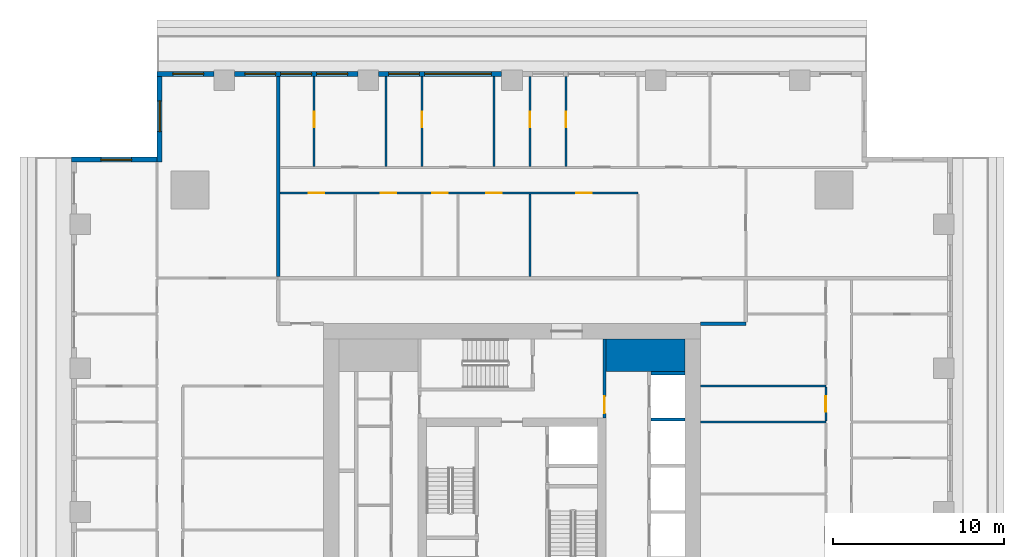
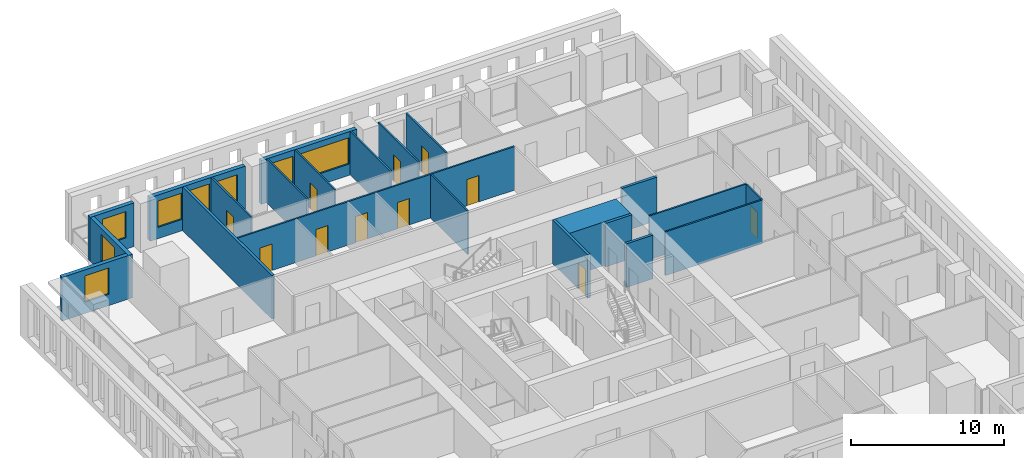
# One storey, part 7 of 14: 22 walls, 11 doors, 8 windows, 19 openings.
"""IFC4 building model written with IfcOpenShell, lengths in metres."""

from ifc_helpers import new_model, si_unit, direction, frame, frame_2d, origin, place, context, subcontext, project, spatial, rectangle, extrude, material, layer, layer_set, type_object, element, fill, save


model = new_model("IFC4")

# Units and contexts
model_context = context("Model", 3, precision=1e-05, world=origin(), true_north=direction((0.0, 1.0)))
body_context = subcontext(model_context, "Body", "Model", "MODEL_VIEW")
ifc_project = project(units=[si_unit("LENGTHUNIT", "METRE"), si_unit("AREAUNIT", "SQUARE_METRE"), si_unit("VOLUMEUNIT", "CUBIC_METRE"), si_unit("PLANEANGLEUNIT", "RADIAN"), si_unit("MASSUNIT", "GRAM", prefix="KILO")], contexts=[model_context])

# Site, building, storey
site_placement = place(None, origin())
site = spatial("IfcSite", under=ifc_project, at=site_placement, CompositionType="ELEMENT")
building_placement = place(site_placement, origin())
building = spatial("IfcBuilding", under=site, at=building_placement, Name="Khepri Terraces", CompositionType="ELEMENT")
storey_placement = place(building_placement, frame((0.0, 0.0, 275.699951171875)))
storey = spatial("IfcBuildingStorey", under=building, at=storey_placement, Name="L66", CompositionType="ELEMENT", Elevation=275.699951171875)

# Walls
ifc_material_1 = material(Name="Concrete C40/50", Category="concrete")
ifc_layer_1 = layer(ifc_material_1, 1.89990234375, Name="Concrete C40/50", Category="concrete")
ifc_layer_set_1 = layer_set([ifc_layer_1], Name="Concrete C40/50")
wall_type_1 = type_object("IfcWallType", Name="Core wall 1900 C40/50", PredefinedType="SHEAR", material=ifc_layer_set_1)
wall_1_placement = place(storey_placement, frame((5.5, 9.14990234375, 0.0), z_axis=(0.0, 0.0, 1.0), x_axis=(1.0, 0.0, 0.0)))
element("IfcWall", 1, at=wall_1_placement, inside=storey, type_object=wall_type_1, Name="Core wall PR04 L66", PredefinedType="SHEAR", context=body_context, shape_type="SweptSolid", body=[
    extrude(rectangle(XDim=4.60009765625, YDim=1.89990234375, at=frame_2d((2.300048828125, 0.0))), origin(), (0.0, 0.0, 1.0), 3.47998046875),
])
ifc_layer_2 = layer(ifc_material_1, 0.199951171875, Name="Concrete C40/50", Category="concrete")
ifc_layer_set_2 = layer_set([ifc_layer_2], Name="Concrete C40/50")
wall_type_2 = type_object("IfcWallType", Name="Core wall 200 C40/50", PredefinedType="SHEAR", material=ifc_layer_set_2)
for number, where, z_axis, x_axis, name in (
    (2, (8.10009765625, 5.39990234375, 0.0), (0.0, 0.0, 1.0), (1.0, 0.0, 0.0), "Core wall SH14 L66"),
    (3, (8.10009765625, 8.10009765625, 0.0), (0.0, 0.0, 1.0), (1.0, 0.0, 0.0), "Core wall SH15 L66"),
):
    element("IfcWall", number, at=place(storey_placement, frame(where, z_axis=z_axis, x_axis=x_axis)), inside=storey, type_object=wall_type_2, Name=name, PredefinedType="SHEAR", context=body_context, shape_type="SweptSolid", body=[
        extrude(rectangle(XDim=2.0, YDim=0.199951171875, at=frame_2d((1.0, 0.0))), origin(), (0.0, 0.0, 1.0), 3.47998046875),
    ])

# Wall, opening, door
ifc_material_2 = material(Name="Fire-rated gypsum board partition")
ifc_layer_3 = layer(ifc_material_2, 0.199951171875, Name="Fire-rated gypsum board partition")
ifc_layer_set_3 = layer_set([ifc_layer_3], Name="Fire-rated gypsum board partition")
wall_type_3 = type_object("IfcWallType", Name="WL-CORE-PART-200", PredefinedType="PARTITIONING", material=ifc_layer_set_3)
wall_2_placement = place(storey_placement, frame((5.39990234375, 5.5, 0.0), z_axis=(0.0, 0.0, 1.0), x_axis=(0.0, 1.0, 0.0)))
wall_2 = element("IfcWall", 4, at=wall_2_placement, inside=storey, type_object=wall_type_3, Name="Core partition PT13 L66", PredefinedType="PARTITIONING", context=body_context, shape_type="SweptSolid", body=[
    extrude(rectangle(XDim=4.60009765625, YDim=0.199951171875, at=frame_2d((2.300048828125, 0.0))), origin(), (0.0, 0.0, 1.0), 3.47998046875),
])
opening_1_placement = place(wall_2_placement, frame((0.25, 0.0, 0.0)))
opening_1 = element("IfcOpeningElement", 5, at=opening_1_placement, cuts=wall_2, Name="Opening L66-C17", PredefinedType="OPENING", context=body_context, shape_type="SweptSolid", body=[
    extrude(rectangle(XDim=1.0, YDim=2.10009765625, at=frame_2d((0.5, 1.050048828125))), frame((0.0, 0.10986328125, 0.0), z_axis=(0.0, -1.0, 0.0), x_axis=(1.0, 0.0, 0.0)), (0.0, 0.0, 1.0), 0.219970703125),
])
ifc_material_3 = material(Name="Painted steel", Category="steel")
door_type_1 = type_object("IfcDoorType", Name="DR-CORE-LOBBY-1000", OperationType="NOTDEFINED", PredefinedType="DOOR", material=ifc_material_3)
door_1_placement = place(opening_1_placement, origin())
door_1 = element("IfcDoor", 6, at=door_1_placement, inside=storey, type_object=door_type_1, Name="Lobby door L66-C17", OperationType="SINGLE_SWING_LEFT", OverallHeight=2.10009765625, OverallWidth=1.0, PredefinedType="DOOR", context=body_context, shape_type="SweptSolid", body=[
    extrude(rectangle(XDim=1.0, YDim=2.10009765625, at=frame_2d((0.5, 1.050048828125))), frame((0.0, 0.02490234375, 0.0), z_axis=(0.0, -1.0, 0.0), x_axis=(1.0, 0.0, 0.0)), (0.0, 0.0, 1.0), 0.050048828125),
])
fill(opening_1, door_1)

# Walls
ifc_material_4 = material(Name="Fire-rated gypsum plasterboard partition, mineral wool")
ifc_layer_4 = layer(ifc_material_4, 0.199951171875, Name="Fire-rated gypsum plasterboard partition, mineral wool")
ifc_layer_set_4 = layer_set([ifc_layer_4], Name="Fire-rated gypsum plasterboard partition, mineral wool")
wall_type_4 = type_object("IfcWallType", Name="WL-CORR-200", PredefinedType="PARTITIONING", material=ifc_layer_set_4)
wall_3_placement = place(storey_placement, frame((11.0, 11.0, 0.0), z_axis=(0.0, 0.0, 1.0), x_axis=(1.0, 0.0, 0.0)))
element("IfcWall", 7, at=wall_3_placement, inside=storey, type_object=wall_type_4, Name="Partition P-070 L66", PredefinedType="PARTITIONING", context=body_context, shape_type="SweptSolid", body=[
    extrude(rectangle(XDim=2.64990234375, YDim=0.199951171875, at=frame_2d((1.324951171875, 0.0))), origin(), (0.0, 0.0, 1.0), 3.47998046875),
])
wall_4_placement = place(storey_placement, frame((-13.64990234375, 13.75, 0.0), z_axis=(0.0, 0.0, 1.0), x_axis=(0.0, 1.0, 0.0)))
element("IfcWall", 8, at=wall_4_placement, inside=storey, type_object=wall_type_4, Name="Partition P-082 L66", PredefinedType="PARTITIONING", context=body_context, shape_type="SweptSolid", body=[
    extrude(rectangle(XDim=11.669921875, YDim=0.199951171875, at=frame_2d((5.8349609375, 0.0))), origin(), (0.0, 0.0, 1.0), 3.47998046875),
])

# Wall, openings, windows
ifc_material_5 = material(Name="Precast concrete C50/60 warm stone", Category="masonry")
ifc_layer_5 = layer(ifc_material_5, 0.300048828125, Name="Precast concrete C50/60 warm stone", Category="masonry")
ifc_layer_set_5 = layer_set([ifc_layer_5], Name="Precast concrete C50/60 warm stone")
wall_type_5 = type_object("IfcWallType", Name="WL-EXT-PRECAST-300", PredefinedType="STANDARD", material=ifc_layer_set_5)
wall_5_placement = place(storey_placement, frame((-0.60009765625, 25.570068359375, 0.0), z_axis=(0.0, 0.0, 1.0), x_axis=(-1.0, 0.0, 0.0)))
wall_5 = element("IfcWall", 9, at=wall_5_placement, inside=storey, type_object=wall_type_5, Name="External wall L66 N", PredefinedType="STANDARD", context=body_context, shape_type="SweptSolid", body=[
    extrude(rectangle(XDim=7.199951171875, YDim=0.300048828125, at=frame_2d((3.60009765625, 0.0))), origin(), (0.0, 0.0, 1.0), 3.47998046875),
])
opening_2_placement = place(wall_5_placement, frame((0.60009765625, 0.0, 0.89990234375)))
opening_2 = element("IfcOpeningElement", 10, at=opening_2_placement, cuts=wall_5, Name="Opening W2", PredefinedType="OPENING", context=body_context, shape_type="SweptSolid", body=[
    extrude(rectangle(XDim=3.89990234375, YDim=2.10009765625, at=frame_2d((1.949951171875, 1.050048828125))), frame((0.0, 0.16015625, 0.0), z_axis=(0.0, -1.0, 0.0), x_axis=(1.0, 0.0, 0.0)), (0.0, 0.0, 1.0), 0.320068359375),
])
opening_3_placement = place(wall_5_placement, frame((4.800048828125, 0.0, 0.89990234375)))
opening_3 = element("IfcOpeningElement", 11, at=opening_3_placement, cuts=wall_5, Name="Opening W1", PredefinedType="OPENING", context=body_context, shape_type="SweptSolid", body=[
    extrude(rectangle(XDim=1.800048828125, YDim=2.10009765625, at=frame_2d((0.89990234375, 1.050048828125))), frame((0.0, 0.16015625, 0.0), z_axis=(0.0, -1.0, 0.0), x_axis=(1.0, 0.0, 0.0)), (0.0, 0.0, 1.0), 0.320068359375),
])
ifc_material_6 = material(Name="Clear glass", Category="glass")
window_type_1 = type_object("IfcWindowType", Name="WIN-RES-1800x2100", PartitioningType="SINGLE_PANEL", PredefinedType="WINDOW", material=ifc_material_6)
window_1_placement = place(opening_3_placement, origin())
window_1 = element("IfcWindow", 12, at=window_1_placement, inside=storey, type_object=window_type_1, Name="Window L66 N", OverallHeight=2.10009765625, OverallWidth=1.800048828125, PartitioningType="SINGLE_PANEL", PredefinedType="WINDOW", context=body_context, shape_type="SweptSolid", body=[
    extrude(rectangle(XDim=1.800048828125, YDim=2.10009765625, at=frame_2d((0.89990234375, 1.050048828125))), frame((0.0, 0.030029296875, 0.0), z_axis=(0.0, -1.0, 0.0), x_axis=(1.0, 0.0, 0.0)), (0.0, 0.0, 1.0), 0.06005859375),
])
fill(opening_3, window_1)
window_type_2 = type_object("IfcWindowType", Name="WIN-RES-3900x2100", PartitioningType="SINGLE_PANEL", PredefinedType="WINDOW", material=ifc_material_6)
window_2_placement = place(opening_2_placement, origin())
window_2 = element("IfcWindow", 13, at=window_2_placement, inside=storey, type_object=window_type_2, Name="Window L66 N", OverallHeight=2.10009765625, OverallWidth=3.89990234375, PartitioningType="SINGLE_PANEL", PredefinedType="WINDOW", context=body_context, shape_type="SweptSolid", body=[
    extrude(rectangle(XDim=3.89990234375, YDim=2.10009765625, at=frame_2d((1.949951171875, 1.050048828125))), frame((0.0, 0.030029296875, 0.0), z_axis=(0.0, -1.0, 0.0), x_axis=(1.0, 0.0, 0.0)), (0.0, 0.0, 1.0), 0.06005859375),
])
fill(opening_2, window_2)

wall_6_placement = place(storey_placement, frame((-9.0, 25.570068359375, 0.0), z_axis=(0.0, 0.0, 1.0), x_axis=(-1.0, 0.0, 0.0)))
wall_6 = element("IfcWall", 14, at=wall_6_placement, inside=storey, type_object=wall_type_5, Name="External wall L66 N", PredefinedType="STANDARD", context=body_context, shape_type="SweptSolid", body=[
    extrude(rectangle(XDim=7.199951171875, YDim=0.300048828125, at=frame_2d((3.60009765625, 0.0))), origin(), (0.0, 0.0, 1.0), 3.47998046875),
])
opening_4_placement = place(wall_6_placement, frame((0.60009765625, 0.0, 0.89990234375)))
opening_4 = element("IfcOpeningElement", 15, at=opening_4_placement, cuts=wall_6, Name="Opening W1", PredefinedType="OPENING", context=body_context, shape_type="SweptSolid", body=[
    extrude(rectangle(XDim=1.800048828125, YDim=2.10009765625, at=frame_2d((0.89990234375, 1.050048828125))), frame((0.0, 0.16015625, 0.0), z_axis=(0.0, -1.0, 0.0), x_axis=(1.0, 0.0, 0.0)), (0.0, 0.0, 1.0), 0.320068359375),
])
opening_5_placement = place(wall_6_placement, frame((2.699951171875, 0.0, 0.89990234375)))
opening_5 = element("IfcOpeningElement", 16, at=opening_5_placement, cuts=wall_6, Name="Opening W1", PredefinedType="OPENING", context=body_context, shape_type="SweptSolid", body=[
    extrude(rectangle(XDim=1.800048828125, YDim=2.10009765625, at=frame_2d((0.89990234375, 1.050048828125))), frame((0.0, 0.16015625, 0.0), z_axis=(0.0, -1.0, 0.0), x_axis=(1.0, 0.0, 0.0)), (0.0, 0.0, 1.0), 0.320068359375),
])
opening_6_placement = place(wall_6_placement, frame((4.800048828125, 0.0, 0.89990234375)))
opening_6 = element("IfcOpeningElement", 17, at=opening_6_placement, cuts=wall_6, Name="Opening W1", PredefinedType="OPENING", context=body_context, shape_type="SweptSolid", body=[
    extrude(rectangle(XDim=1.800048828125, YDim=2.10009765625, at=frame_2d((0.89990234375, 1.050048828125))), frame((0.0, 0.16015625, 0.0), z_axis=(0.0, -1.0, 0.0), x_axis=(1.0, 0.0, 0.0)), (0.0, 0.0, 1.0), 0.320068359375),
])
window_3_placement = place(opening_4_placement, origin())
window_3 = element("IfcWindow", 18, at=window_3_placement, inside=storey, type_object=window_type_1, Name="Window L66 N", OverallHeight=2.10009765625, OverallWidth=1.800048828125, PartitioningType="SINGLE_PANEL", PredefinedType="WINDOW", context=body_context, shape_type="SweptSolid", body=[
    extrude(rectangle(XDim=1.800048828125, YDim=2.10009765625, at=frame_2d((0.89990234375, 1.050048828125))), frame((0.0, 0.030029296875, 0.0), z_axis=(0.0, -1.0, 0.0), x_axis=(1.0, 0.0, 0.0)), (0.0, 0.0, 1.0), 0.06005859375),
])
fill(opening_4, window_3)
window_4_placement = place(opening_5_placement, origin())
window_4 = element("IfcWindow", 19, at=window_4_placement, inside=storey, type_object=window_type_1, Name="Window L66 N", OverallHeight=2.10009765625, OverallWidth=1.800048828125, PartitioningType="SINGLE_PANEL", PredefinedType="WINDOW", context=body_context, shape_type="SweptSolid", body=[
    extrude(rectangle(XDim=1.800048828125, YDim=2.10009765625, at=frame_2d((0.89990234375, 1.050048828125))), frame((0.0, 0.030029296875, 0.0), z_axis=(0.0, -1.0, 0.0), x_axis=(1.0, 0.0, 0.0)), (0.0, 0.0, 1.0), 0.06005859375),
])
fill(opening_5, window_4)
window_5_placement = place(opening_6_placement, origin())
window_5 = element("IfcWindow", 20, at=window_5_placement, inside=storey, type_object=window_type_1, Name="Window L66 N", OverallHeight=2.10009765625, OverallWidth=1.800048828125, PartitioningType="SINGLE_PANEL", PredefinedType="WINDOW", context=body_context, shape_type="SweptSolid", body=[
    extrude(rectangle(XDim=1.800048828125, YDim=2.10009765625, at=frame_2d((0.89990234375, 1.050048828125))), frame((0.0, 0.030029296875, 0.0), z_axis=(0.0, -1.0, 0.0), x_axis=(1.0, 0.0, 0.0)), (0.0, 0.0, 1.0), 0.06005859375),
])
fill(opening_6, window_5)

# Wall, opening, window
wall_7_placement = place(storey_placement, frame((-17.39990234375, 25.570068359375, 0.0), z_axis=(0.0, 0.0, 1.0), x_axis=(-1.0, 0.0, 0.0)))
wall_7 = element("IfcWall", 21, at=wall_7_placement, inside=storey, type_object=wall_type_5, Name="External wall L66 N", PredefinedType="STANDARD", context=body_context, shape_type="SweptSolid", body=[
    extrude(rectangle(XDim=3.320068359375, YDim=0.300048828125, at=frame_2d((1.66015625, 0.0))), origin(), (0.0, 0.0, 1.0), 3.47998046875),
])
opening_7_placement = place(wall_7_placement, frame((0.60009765625, 0.0, 0.89990234375)))
opening_7 = element("IfcOpeningElement", 22, at=opening_7_placement, cuts=wall_7, Name="Opening W1", PredefinedType="OPENING", context=body_context, shape_type="SweptSolid", body=[
    extrude(rectangle(XDim=1.800048828125, YDim=2.10009765625, at=frame_2d((0.89990234375, 1.050048828125))), frame((0.0, 0.16015625, 0.0), z_axis=(0.0, -1.0, 0.0), x_axis=(1.0, 0.0, 0.0)), (0.0, 0.0, 1.0), 0.320068359375),
])
window_6_placement = place(opening_7_placement, origin())
window_6 = element("IfcWindow", 23, at=window_6_placement, inside=storey, type_object=window_type_1, Name="Window L66 N", OverallHeight=2.10009765625, OverallWidth=1.800048828125, PartitioningType="SINGLE_PANEL", PredefinedType="WINDOW", context=body_context, shape_type="SweptSolid", body=[
    extrude(rectangle(XDim=1.800048828125, YDim=2.10009765625, at=frame_2d((0.89990234375, 1.050048828125))), frame((0.0, 0.030029296875, 0.0), z_axis=(0.0, -1.0, 0.0), x_axis=(1.0, 0.0, 0.0)), (0.0, 0.0, 1.0), 0.06005859375),
])
fill(opening_7, window_6)

wall_8_placement = place(storey_placement, frame((-20.570068359375, 25.419921875, 0.0), z_axis=(0.0, 0.0, 1.0), x_axis=(0.0, -1.0, 0.0)))
wall_8 = element("IfcWall", 24, at=wall_8_placement, inside=storey, type_object=wall_type_5, Name="External wall L66 W", PredefinedType="STANDARD", context=body_context, shape_type="SweptSolid", body=[
    extrude(rectangle(XDim=5.0, YDim=0.300048828125, at=frame_2d((2.5, 0.0))), origin(), (0.0, 0.0, 1.0), 3.47998046875),
])
opening_8_placement = place(wall_8_placement, frame((1.419921875, 0.0, 0.89990234375)))
opening_8 = element("IfcOpeningElement", 25, at=opening_8_placement, cuts=wall_8, Name="Opening W1", PredefinedType="OPENING", context=body_context, shape_type="SweptSolid", body=[
    extrude(rectangle(XDim=1.800048828125, YDim=2.10009765625, at=frame_2d((0.89990234375, 1.050048828125))), frame((0.0, 0.16015625, 0.0), z_axis=(0.0, -1.0, 0.0), x_axis=(1.0, 0.0, 0.0)), (0.0, 0.0, 1.0), 0.320068359375),
])
window_7_placement = place(opening_8_placement, origin())
window_7 = element("IfcWindow", 26, at=window_7_placement, inside=storey, type_object=window_type_1, Name="Window L66 W", OverallHeight=2.10009765625, OverallWidth=1.800048828125, PartitioningType="SINGLE_PANEL", PredefinedType="WINDOW", context=body_context, shape_type="SweptSolid", body=[
    extrude(rectangle(XDim=1.800048828125, YDim=2.10009765625, at=frame_2d((0.89990234375, 1.050048828125))), frame((0.0, 0.030029296875, 0.0), z_axis=(0.0, -1.0, 0.0), x_axis=(1.0, 0.0, 0.0)), (0.0, 0.0, 1.0), 0.06005859375),
])
fill(opening_8, window_7)

wall_9_placement = place(storey_placement, frame((-20.719970703125, 20.570068359375, 0.0), z_axis=(0.0, 0.0, 1.0), x_axis=(-1.0, 0.0, 0.0)))
wall_9 = element("IfcWall", 27, at=wall_9_placement, inside=storey, type_object=wall_type_5, Name="External wall L66 N", PredefinedType="STANDARD", context=body_context, shape_type="SweptSolid", body=[
    extrude(rectangle(XDim=5.0, YDim=0.300048828125, at=frame_2d((2.5, 0.0))), origin(), (0.0, 0.0, 1.0), 3.47998046875),
])
opening_9_placement = place(wall_9_placement, frame((1.47998046875, 0.0, 0.89990234375)))
opening_9 = element("IfcOpeningElement", 28, at=opening_9_placement, cuts=wall_9, Name="Opening W1", PredefinedType="OPENING", context=body_context, shape_type="SweptSolid", body=[
    extrude(rectangle(XDim=1.800048828125, YDim=2.10009765625, at=frame_2d((0.89990234375, 1.050048828125))), frame((0.0, 0.16015625, 0.0), z_axis=(0.0, -1.0, 0.0), x_axis=(1.0, 0.0, 0.0)), (0.0, 0.0, 1.0), 0.320068359375),
])
window_8_placement = place(opening_9_placement, origin())
window_8 = element("IfcWindow", 29, at=window_8_placement, inside=storey, type_object=window_type_1, Name="Window L66 N", OverallHeight=2.10009765625, OverallWidth=1.800048828125, PartitioningType="SINGLE_PANEL", PredefinedType="WINDOW", context=body_context, shape_type="SweptSolid", body=[
    extrude(rectangle(XDim=1.800048828125, YDim=2.10009765625, at=frame_2d((0.89990234375, 1.050048828125))), frame((0.0, 0.030029296875, 0.0), z_axis=(0.0, -1.0, 0.0), x_axis=(1.0, 0.0, 0.0)), (0.0, 0.0, 1.0), 0.06005859375),
])
fill(opening_9, window_8)

# Wall
ifc_material_7 = material(Name="Gypsum plasterboard partition")
ifc_layer_6 = layer(ifc_material_7, 0.1201171875, Name="Gypsum plasterboard partition")
ifc_layer_set_6 = layer_set([ifc_layer_6], Name="Gypsum plasterboard partition")
wall_type_6 = type_object("IfcWallType", Name="WL-PART-120", PredefinedType="PARTITIONING", material=ifc_layer_set_6)
wall_10_placement = place(storey_placement, frame((11.0, 5.25, 0.0), z_axis=(0.0, 0.0, 1.0), x_axis=(1.0, 0.0, 0.0)))
element("IfcWall", 30, at=wall_10_placement, inside=storey, type_object=wall_type_6, Name="Partition P-059 L66", PredefinedType="PARTITIONING", context=body_context, shape_type="SweptSolid", body=[
    extrude(rectangle(XDim=7.320068359375, YDim=0.1201171875, at=frame_2d((3.66015625, 0.0))), origin(), (0.0, 0.0, 1.0), 3.47998046875),
])

# Wall, opening, door
wall_11_placement = place(storey_placement, frame((18.320068359375, 5.31005859375, 0.0), z_axis=(0.0, 0.0, 1.0), x_axis=(0.0, 1.0, 0.0)))
wall_11 = element("IfcWall", 31, at=wall_11_placement, inside=storey, type_object=wall_type_6, Name="Partition P-062 L66", PredefinedType="PARTITIONING", context=body_context, shape_type="SweptSolid", body=[
    extrude(rectangle(XDim=1.97998046875, YDim=0.1201171875, at=frame_2d((0.989990234375, 0.0))), origin(), (0.0, 0.0, 1.0), 3.47998046875),
])
opening_10_placement = place(wall_11_placement, frame((0.5400390625, 0.0, 0.0)))
opening_10 = element("IfcOpeningElement", 32, at=opening_10_placement, cuts=wall_11, Name="Opening D4", PredefinedType="OPENING", context=body_context, shape_type="SweptSolid", body=[
    extrude(rectangle(XDim=0.89990234375, YDim=2.10009765625, at=frame_2d((0.449951171875, 1.050048828125))), frame((0.0, 0.070068359375, 0.0), z_axis=(0.0, -1.0, 0.0), x_axis=(1.0, 0.0, 0.0)), (0.0, 0.0, 1.0), 0.14013671875),
])
ifc_material_8 = material(Name="Timber door leaf, moisture resistant", Category="wood")
door_type_2 = type_object("IfcDoorType", Name="DR-WET-900", OperationType="NOTDEFINED", PredefinedType="DOOR", material=ifc_material_8)
door_2_placement = place(opening_10_placement, origin())
door_2 = element("IfcDoor", 33, at=door_2_placement, inside=storey, type_object=door_type_2, Name="Door Guest Bathroom", OperationType="SINGLE_SWING_RIGHT", OverallHeight=2.10009765625, OverallWidth=0.89990234375, PredefinedType="DOOR", context=body_context, shape_type="SweptSolid", body=[
    extrude(rectangle(XDim=0.89990234375, YDim=2.10009765625, at=frame_2d((0.449951171875, 1.050048828125))), frame((0.0, 0.02490234375, 0.0), z_axis=(0.0, -1.0, 0.0), x_axis=(1.0, 0.0, 0.0)), (0.0, 0.0, 1.0), 0.050048828125),
])
fill(opening_10, door_2)

# Walls
wall_12_placement = place(storey_placement, frame((11.0, 7.35009765625, 0.0), z_axis=(0.0, 0.0, 1.0), x_axis=(1.0, 0.0, 0.0)))
element("IfcWall", 34, at=wall_12_placement, inside=storey, type_object=wall_type_6, Name="Partition P-066 L66", PredefinedType="PARTITIONING", context=body_context, shape_type="SweptSolid", body=[
    extrude(rectangle(XDim=7.320068359375, YDim=0.1201171875, at=frame_2d((3.66015625, 0.0))), origin(), (0.0, 0.0, 1.0), 3.47998046875),
])
wall_13_placement = place(storey_placement, frame((1.050048828125, 13.75, 0.0), z_axis=(0.0, 0.0, 1.0), x_axis=(0.0, 1.0, 0.0)))
element("IfcWall", 35, at=wall_13_placement, inside=storey, type_object=wall_type_6, Name="Partition P-086 L66", PredefinedType="PARTITIONING", context=body_context, shape_type="SweptSolid", body=[
    extrude(rectangle(XDim=4.81005859375, YDim=0.1201171875, at=frame_2d((2.405029296875, 0.0))), origin(), (0.0, 0.0, 1.0), 3.47998046875),
])

# Wall, openings, doors
wall_14_placement = place(storey_placement, frame((-13.550048828125, 18.6201171875, 0.0), z_axis=(0.0, 0.0, 1.0), x_axis=(1.0, 0.0, 0.0)))
wall_14 = element("IfcWall", 36, at=wall_14_placement, inside=storey, type_object=wall_type_6, Name="Partition P-089 L66", PredefinedType="PARTITIONING", context=body_context, shape_type="SweptSolid", body=[
    extrude(rectangle(XDim=20.900146484375, YDim=0.1201171875, at=frame_2d((10.4501953125, 0.0))), origin(), (0.0, 0.0, 1.0), 3.47998046875),
])
opening_11_placement = place(wall_14_placement, frame((17.300048828125, 0.0, 0.0)))
opening_11 = element("IfcOpeningElement", 37, at=opening_11_placement, cuts=wall_14, Name="Opening D3", PredefinedType="OPENING", context=body_context, shape_type="SweptSolid", body=[
    extrude(rectangle(XDim=0.89990234375, YDim=2.10009765625, at=frame_2d((0.449951171875, 1.050048828125))), frame((0.0, 0.070068359375, 0.0), z_axis=(0.0, -1.0, 0.0), x_axis=(1.0, 0.0, 0.0)), (0.0, 0.0, 1.0), 0.14013671875),
])
opening_12_placement = place(wall_14_placement, frame((12.050048828125, 0.0, 0.0)))
opening_12 = element("IfcOpeningElement", 38, at=opening_12_placement, cuts=wall_14, Name="Opening D3", PredefinedType="OPENING", context=body_context, shape_type="SweptSolid", body=[
    extrude(rectangle(XDim=0.89990234375, YDim=2.10009765625, at=frame_2d((0.449951171875, 1.050048828125))), frame((0.0, 0.070068359375, 0.0), z_axis=(0.0, -1.0, 0.0), x_axis=(1.0, 0.0, 0.0)), (0.0, 0.0, 1.0), 0.14013671875),
])
opening_13_placement = place(wall_14_placement, frame((8.89990234375, 0.0, 0.0)))
opening_13 = element("IfcOpeningElement", 39, at=opening_13_placement, cuts=wall_14, Name="Opening D4", PredefinedType="OPENING", context=body_context, shape_type="SweptSolid", body=[
    extrude(rectangle(XDim=0.89990234375, YDim=2.10009765625, at=frame_2d((0.449951171875, 1.050048828125))), frame((0.0, 0.070068359375, 0.0), z_axis=(0.0, -1.0, 0.0), x_axis=(1.0, 0.0, 0.0)), (0.0, 0.0, 1.0), 0.14013671875),
])
opening_14_placement = place(wall_14_placement, frame((5.89990234375, 0.0, 0.0)))
opening_14 = element("IfcOpeningElement", 40, at=opening_14_placement, cuts=wall_14, Name="Opening D3", PredefinedType="OPENING", context=body_context, shape_type="SweptSolid", body=[
    extrude(rectangle(XDim=0.89990234375, YDim=2.10009765625, at=frame_2d((0.449951171875, 1.050048828125))), frame((0.0, 0.070068359375, 0.0), z_axis=(0.0, -1.0, 0.0), x_axis=(1.0, 0.0, 0.0)), (0.0, 0.0, 1.0), 0.14013671875),
])
opening_15_placement = place(wall_14_placement, frame((1.699951171875, 0.0, 0.0)))
opening_15 = element("IfcOpeningElement", 41, at=opening_15_placement, cuts=wall_14, Name="Opening D4", PredefinedType="OPENING", context=body_context, shape_type="SweptSolid", body=[
    extrude(rectangle(XDim=0.89990234375, YDim=2.10009765625, at=frame_2d((0.449951171875, 1.050048828125))), frame((0.0, 0.070068359375, 0.0), z_axis=(0.0, -1.0, 0.0), x_axis=(1.0, 0.0, 0.0)), (0.0, 0.0, 1.0), 0.14013671875),
])
ifc_material_9 = material(Name="Timber door leaf", Category="wood")
door_type_3 = type_object("IfcDoorType", Name="DR-INT-900", OperationType="NOTDEFINED", PredefinedType="DOOR", material=ifc_material_9)
door_3_placement = place(opening_11_placement, frame((0.89990234375, 0.0, 0.0), z_axis=(0.0, 0.0, 1.0), x_axis=(-1.0, 0.0, 0.0)))
door_3 = element("IfcDoor", 42, at=door_3_placement, inside=storey, type_object=door_type_3, Name="Door Kitchen", OperationType="SINGLE_SWING_LEFT", OverallHeight=2.10009765625, OverallWidth=0.89990234375, PredefinedType="DOOR", context=body_context, shape_type="SweptSolid", body=[
    extrude(rectangle(XDim=0.89990234375, YDim=2.10009765625, at=frame_2d((0.449951171875, 1.050048828125))), frame((0.0, 0.02490234375, 0.0), z_axis=(0.0, -1.0, 0.0), x_axis=(1.0, 0.0, 0.0)), (0.0, 0.0, 1.0), 0.050048828125),
])
fill(opening_11, door_3)
door_4_placement = place(opening_12_placement, frame((0.89990234375, 0.0, 0.0), z_axis=(0.0, 0.0, 1.0), x_axis=(-1.0, 0.0, 0.0)))
door_4 = element("IfcDoor", 43, at=door_4_placement, inside=storey, type_object=door_type_3, Name="Door Service Store", OperationType="SINGLE_SWING_LEFT", OverallHeight=2.10009765625, OverallWidth=0.89990234375, PredefinedType="DOOR", context=body_context, shape_type="SweptSolid", body=[
    extrude(rectangle(XDim=0.89990234375, YDim=2.10009765625, at=frame_2d((0.449951171875, 1.050048828125))), frame((0.0, 0.02490234375, 0.0), z_axis=(0.0, -1.0, 0.0), x_axis=(1.0, 0.0, 0.0)), (0.0, 0.0, 1.0), 0.050048828125),
])
fill(opening_12, door_4)
door_5_placement = place(opening_14_placement, frame((0.89990234375, 0.0, 0.0), z_axis=(0.0, 0.0, 1.0), x_axis=(-1.0, 0.0, 0.0)))
door_5 = element("IfcDoor", 44, at=door_5_placement, inside=storey, type_object=door_type_3, Name="Door Utility Room", OperationType="SINGLE_SWING_RIGHT", OverallHeight=2.10009765625, OverallWidth=0.89990234375, PredefinedType="DOOR", context=body_context, shape_type="SweptSolid", body=[
    extrude(rectangle(XDim=0.89990234375, YDim=2.10009765625, at=frame_2d((0.449951171875, 1.050048828125))), frame((0.0, 0.02490234375, 0.0), z_axis=(0.0, -1.0, 0.0), x_axis=(1.0, 0.0, 0.0)), (0.0, 0.0, 1.0), 0.050048828125),
])
fill(opening_14, door_5)
door_6_placement = place(opening_13_placement, frame((0.89990234375, 0.0, 0.0), z_axis=(0.0, 0.0, 1.0), x_axis=(-1.0, 0.0, 0.0)))
door_6 = element("IfcDoor", 45, at=door_6_placement, inside=storey, type_object=door_type_2, Name="Door Powder Room", OperationType="SINGLE_SWING_RIGHT", OverallHeight=2.10009765625, OverallWidth=0.89990234375, PredefinedType="DOOR", context=body_context, shape_type="SweptSolid", body=[
    extrude(rectangle(XDim=0.89990234375, YDim=2.10009765625, at=frame_2d((0.449951171875, 1.050048828125))), frame((0.0, 0.02490234375, 0.0), z_axis=(0.0, -1.0, 0.0), x_axis=(1.0, 0.0, 0.0)), (0.0, 0.0, 1.0), 0.050048828125),
])
fill(opening_13, door_6)
door_7_placement = place(opening_15_placement, frame((0.89990234375, 0.0, 0.0), z_axis=(0.0, 0.0, 1.0), x_axis=(-1.0, 0.0, 0.0)))
door_7 = element("IfcDoor", 46, at=door_7_placement, inside=storey, type_object=door_type_2, Name="Door Guest Bathroom", OperationType="SINGLE_SWING_RIGHT", OverallHeight=2.10009765625, OverallWidth=0.89990234375, PredefinedType="DOOR", context=body_context, shape_type="SweptSolid", body=[
    extrude(rectangle(XDim=0.89990234375, YDim=2.10009765625, at=frame_2d((0.449951171875, 1.050048828125))), frame((0.0, 0.02490234375, 0.0), z_axis=(0.0, -1.0, 0.0), x_axis=(1.0, 0.0, 0.0)), (0.0, 0.0, 1.0), 0.050048828125),
])
fill(opening_15, door_7)

# Wall, opening, door
wall_15_placement = place(storey_placement, frame((-11.550048828125, 20.179931640625, 0.0), z_axis=(0.0, 0.0, 1.0), x_axis=(0.0, 1.0, 0.0)))
wall_15 = element("IfcWall", 47, at=wall_15_placement, inside=storey, type_object=wall_type_6, Name="Partition P-091 L66", PredefinedType="PARTITIONING", context=body_context, shape_type="SweptSolid", body=[
    extrude(rectangle(XDim=5.239990234375, YDim=0.1201171875, at=frame_2d((2.6201171875, 0.0))), origin(), (0.0, 0.0, 1.0), 3.47998046875),
])
opening_16_placement = place(wall_15_placement, frame((2.2900390625, 0.0, 0.0)))
opening_16 = element("IfcOpeningElement", 48, at=opening_16_placement, cuts=wall_15, Name="Opening D4", PredefinedType="OPENING", context=body_context, shape_type="SweptSolid", body=[
    extrude(rectangle(XDim=0.89990234375, YDim=2.10009765625, at=frame_2d((0.449951171875, 1.050048828125))), frame((0.0, 0.070068359375, 0.0), z_axis=(0.0, -1.0, 0.0), x_axis=(1.0, 0.0, 0.0)), (0.0, 0.0, 1.0), 0.14013671875),
])
door_8_placement = place(opening_16_placement, origin())
door_8 = element("IfcDoor", 49, at=door_8_placement, inside=storey, type_object=door_type_2, Name="Door Bathroom", OperationType="SINGLE_SWING_RIGHT", OverallHeight=2.10009765625, OverallWidth=0.89990234375, PredefinedType="DOOR", context=body_context, shape_type="SweptSolid", body=[
    extrude(rectangle(XDim=0.89990234375, YDim=2.10009765625, at=frame_2d((0.449951171875, 1.050048828125))), frame((0.0, 0.02490234375, 0.0), z_axis=(0.0, -1.0, 0.0), x_axis=(1.0, 0.0, 0.0)), (0.0, 0.0, 1.0), 0.050048828125),
])
fill(opening_16, door_8)

# Wall
wall_16_placement = place(storey_placement, frame((-7.35009765625, 20.179931640625, 0.0), z_axis=(0.0, 0.0, 1.0), x_axis=(0.0, 1.0, 0.0)))
element("IfcWall", 50, at=wall_16_placement, inside=storey, type_object=wall_type_6, Name="Partition P-092 L66", PredefinedType="PARTITIONING", context=body_context, shape_type="SweptSolid", body=[
    extrude(rectangle(XDim=5.239990234375, YDim=0.1201171875, at=frame_2d((2.6201171875, 0.0))), origin(), (0.0, 0.0, 1.0), 3.47998046875),
])

# Wall, opening, door
wall_17_placement = place(storey_placement, frame((-5.25, 20.179931640625, 0.0), z_axis=(0.0, 0.0, 1.0), x_axis=(0.0, 1.0, 0.0)))
wall_17 = element("IfcWall", 51, at=wall_17_placement, inside=storey, type_object=wall_type_6, Name="Partition P-093 L66", PredefinedType="PARTITIONING", context=body_context, shape_type="SweptSolid", body=[
    extrude(rectangle(XDim=5.239990234375, YDim=0.1201171875, at=frame_2d((2.6201171875, 0.0))), origin(), (0.0, 0.0, 1.0), 3.47998046875),
])
opening_17_placement = place(wall_17_placement, frame((2.2900390625, 0.0, 0.0)))
opening_17 = element("IfcOpeningElement", 52, at=opening_17_placement, cuts=wall_17, Name="Opening D4", PredefinedType="OPENING", context=body_context, shape_type="SweptSolid", body=[
    extrude(rectangle(XDim=0.89990234375, YDim=2.10009765625, at=frame_2d((0.449951171875, 1.050048828125))), frame((0.0, 0.070068359375, 0.0), z_axis=(0.0, -1.0, 0.0), x_axis=(1.0, 0.0, 0.0)), (0.0, 0.0, 1.0), 0.14013671875),
])
door_9_placement = place(opening_17_placement, origin())
door_9 = element("IfcDoor", 53, at=door_9_placement, inside=storey, type_object=door_type_2, Name="Door Bathroom", OperationType="SINGLE_SWING_RIGHT", OverallHeight=2.10009765625, OverallWidth=0.89990234375, PredefinedType="DOOR", context=body_context, shape_type="SweptSolid", body=[
    extrude(rectangle(XDim=0.89990234375, YDim=2.10009765625, at=frame_2d((0.449951171875, 1.050048828125))), frame((0.0, 0.02490234375, 0.0), z_axis=(0.0, -1.0, 0.0), x_axis=(1.0, 0.0, 0.0)), (0.0, 0.0, 1.0), 0.050048828125),
])
fill(opening_17, door_9)

# Wall
wall_18_placement = place(storey_placement, frame((-1.050048828125, 20.179931640625, 0.0), z_axis=(0.0, 0.0, 1.0), x_axis=(0.0, 1.0, 0.0)))
element("IfcWall", 54, at=wall_18_placement, inside=storey, type_object=wall_type_6, Name="Partition P-094 L66", PredefinedType="PARTITIONING", context=body_context, shape_type="SweptSolid", body=[
    extrude(rectangle(XDim=5.239990234375, YDim=0.1201171875, at=frame_2d((2.6201171875, 0.0))), origin(), (0.0, 0.0, 1.0), 3.47998046875),
])

# Wall, opening, door
wall_19_placement = place(storey_placement, frame((1.050048828125, 20.179931640625, 0.0), z_axis=(0.0, 0.0, 1.0), x_axis=(0.0, 1.0, 0.0)))
wall_19 = element("IfcWall", 55, at=wall_19_placement, inside=storey, type_object=wall_type_6, Name="Partition P-095 L66", PredefinedType="PARTITIONING", context=body_context, shape_type="SweptSolid", body=[
    extrude(rectangle(XDim=5.239990234375, YDim=0.1201171875, at=frame_2d((2.6201171875, 0.0))), origin(), (0.0, 0.0, 1.0), 3.47998046875),
])
opening_18_placement = place(wall_19_placement, frame((2.2900390625, 0.0, 0.0)))
opening_18 = element("IfcOpeningElement", 56, at=opening_18_placement, cuts=wall_19, Name="Opening D4", PredefinedType="OPENING", context=body_context, shape_type="SweptSolid", body=[
    extrude(rectangle(XDim=0.89990234375, YDim=2.10009765625, at=frame_2d((0.449951171875, 1.050048828125))), frame((0.0, 0.070068359375, 0.0), z_axis=(0.0, -1.0, 0.0), x_axis=(1.0, 0.0, 0.0)), (0.0, 0.0, 1.0), 0.14013671875),
])
door_10_placement = place(opening_18_placement, origin())
door_10 = element("IfcDoor", 57, at=door_10_placement, inside=storey, type_object=door_type_2, Name="Door Bathroom", OperationType="SINGLE_SWING_RIGHT", OverallHeight=2.10009765625, OverallWidth=0.89990234375, PredefinedType="DOOR", context=body_context, shape_type="SweptSolid", body=[
    extrude(rectangle(XDim=0.89990234375, YDim=2.10009765625, at=frame_2d((0.449951171875, 1.050048828125))), frame((0.0, 0.02490234375, 0.0), z_axis=(0.0, -1.0, 0.0), x_axis=(1.0, 0.0, 0.0)), (0.0, 0.0, 1.0), 0.050048828125),
])
fill(opening_18, door_10)

wall_20_placement = place(storey_placement, frame((3.14990234375, 20.179931640625, 0.0), z_axis=(0.0, 0.0, 1.0), x_axis=(0.0, 1.0, 0.0)))
wall_20 = element("IfcWall", 58, at=wall_20_placement, inside=storey, type_object=wall_type_6, Name="Partition P-096 L66", PredefinedType="PARTITIONING", context=body_context, shape_type="SweptSolid", body=[
    extrude(rectangle(XDim=5.239990234375, YDim=0.1201171875, at=frame_2d((2.6201171875, 0.0))), origin(), (0.0, 0.0, 1.0), 3.47998046875),
])
opening_19_placement = place(wall_20_placement, frame((2.2900390625, 0.0, 0.0)))
opening_19 = element("IfcOpeningElement", 59, at=opening_19_placement, cuts=wall_20, Name="Opening D3", PredefinedType="OPENING", context=body_context, shape_type="SweptSolid", body=[
    extrude(rectangle(XDim=0.89990234375, YDim=2.10009765625, at=frame_2d((0.449951171875, 1.050048828125))), frame((0.0, 0.070068359375, 0.0), z_axis=(0.0, -1.0, 0.0), x_axis=(1.0, 0.0, 0.0)), (0.0, 0.0, 1.0), 0.14013671875),
])
door_11_placement = place(opening_19_placement, origin())
door_11 = element("IfcDoor", 60, at=door_11_placement, inside=storey, type_object=door_type_3, Name="Door Dressing Room", OperationType="SINGLE_SWING_RIGHT", OverallHeight=2.10009765625, OverallWidth=0.89990234375, PredefinedType="DOOR", context=body_context, shape_type="SweptSolid", body=[
    extrude(rectangle(XDim=0.89990234375, YDim=2.10009765625, at=frame_2d((0.449951171875, 1.050048828125))), frame((0.0, 0.02490234375, 0.0), z_axis=(0.0, -1.0, 0.0), x_axis=(1.0, 0.0, 0.0)), (0.0, 0.0, 1.0), 0.050048828125),
])
fill(opening_19, door_11)

save(model, "model.ifc")
